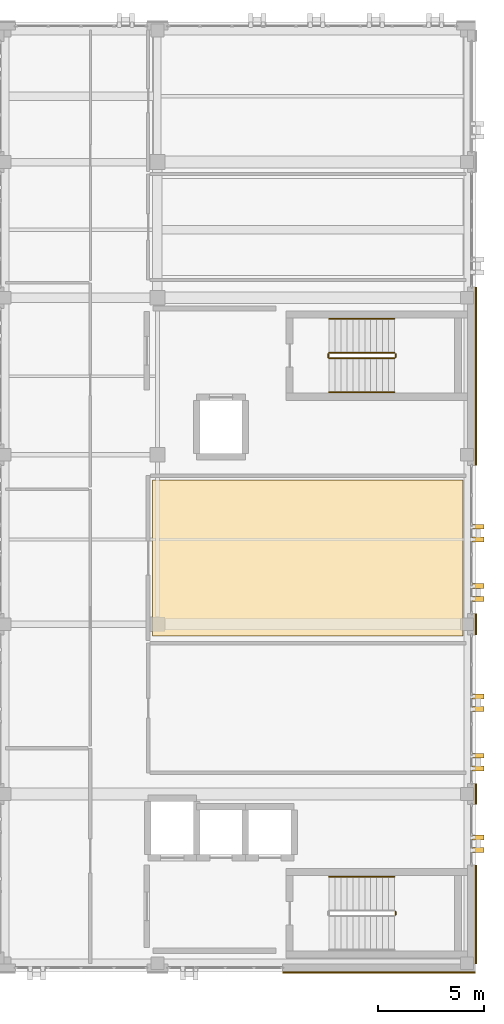
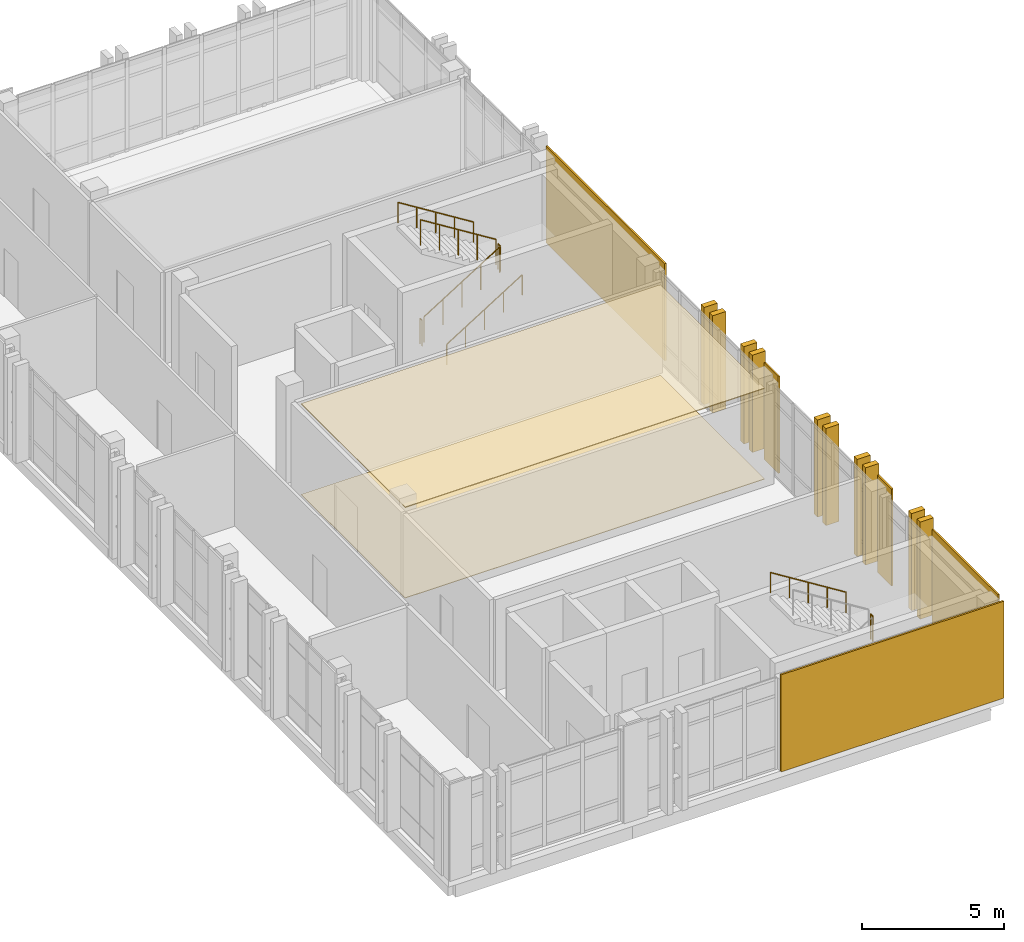
# One storey, part 72 of 77: 17 coverings, 8 railings.
"""IFC4 building model written with IfcOpenShell, lengths in metres."""

from ifc_helpers import new_model, si_unit, direction, frame, origin, origin_2d, place, context, subcontext, project, spatial, polyline, rectangle, circle, outline, extrude, material, layer, layer_set, type_object, element, save


model = new_model("IFC4")

# Units and contexts
model_context = context("Model", 3, precision=1e-05, world=origin(), true_north=direction((0.0, 1.0)))
body_context = subcontext(model_context, "Body", "Model", "MODEL_VIEW")
ifc_project = project(units=[si_unit("LENGTHUNIT", "METRE"), si_unit("AREAUNIT", "SQUARE_METRE"), si_unit("VOLUMEUNIT", "CUBIC_METRE"), si_unit("PLANEANGLEUNIT", "RADIAN"), si_unit("MASSUNIT", "GRAM", prefix="KILO")], contexts=[model_context])

# Site, building, storey
site_placement = place(None, origin())
site = spatial("IfcSite", under=ifc_project, at=site_placement, CompositionType="ELEMENT")
building_placement = place(site_placement, origin())
building = spatial("IfcBuilding", under=site, at=building_placement, Name="Qalavern Law Courts", CompositionType="ELEMENT")
storey_placement = place(building_placement, frame((0.0, 0.0, 27.0)))
storey = spatial("IfcBuildingStorey", under=building, at=storey_placement, Name="L06", CompositionType="ELEMENT", Elevation=27.0)

# Coverings
ifc_material_1 = material(Name="Precast concrete C40/50", Category="concrete")
ifc_layer_1 = layer(ifc_material_1, 0.22998046875)
ifc_layer_set_1 = layer_set([ifc_layer_1], Name="Precast concrete C40/50")
covering_type_1 = type_object("IfcCoveringType", Name="ENV-BLD-2", PredefinedType="CLADDING", material=ifc_layer_set_1)
for number, where, z_axis, x_axis, name in (
    (1, (106.925048828125, 46.75, 0.005126953125), (0.0, 0.0, 1.0), (1.0, 0.0, 0.0), "Absheron stone facade blade 0763"),
    (2, (106.925048828125, 47.35009765625, 0.005126953125), (0.0, 0.0, 1.0), (1.0, 0.0, 0.0), "Absheron stone facade blade 0764"),
    (3, (106.925048828125, 50.60009765625, 0.005126953125), (0.0, 0.0, 1.0), (1.0, 0.0, 0.0), "Absheron stone facade blade 0765"),
    (4, (106.925048828125, 51.199951171875, 0.005126953125), (0.0, 0.0, 1.0), (1.0, 0.0, 0.0), "Absheron stone facade blade 0766"),
    (5, (106.925048828125, 53.39990234375, 0.005126953125), (0.0, 0.0, 1.0), (1.0, 0.0, 0.0), "Absheron stone facade blade 0767"),
    (6, (106.925048828125, 54.0, 0.005126953125), (0.0, 0.0, 1.0), (1.0, 0.0, 0.0), "Absheron stone facade blade 0768"),
    (7, (106.925048828125, 58.60009765625, 0.005126953125), (0.0, 0.0, 1.0), (1.0, 0.0, 0.0), "Absheron stone facade blade 0769"),
    (8, (106.925048828125, 59.199951171875, 0.005126953125), (0.0, 0.0, 1.0), (1.0, 0.0, 0.0), "Absheron stone facade blade 0770"),
    (9, (106.925048828125, 61.39990234375, 0.005126953125), (0.0, 0.0, 1.0), (1.0, 0.0, 0.0), "Absheron stone facade blade 0771"),
    (10, (106.925048828125, 62.0, 0.005126953125), (0.0, 0.0, 1.0), (1.0, 0.0, 0.0), "Absheron stone facade blade 0772"),
):
    element("IfcCovering", number, at=place(storey_placement, frame(where, z_axis=z_axis, x_axis=x_axis)), inside=storey, type_object=covering_type_1, Name=name, PredefinedType="CLADDING", context=body_context, shape_type="SweptSolid", body=[
        extrude(rectangle(XDim=0.5400390625, YDim=0.22998046875, at=origin_2d()), origin(), (0.0, 0.0, 1.0), 4.18994140625),
    ])
ifc_layer_2 = layer(ifc_material_1, 0.072021484375)
ifc_layer_set_2 = layer_set([ifc_layer_2], Name="Precast concrete C40/50")
covering_type_2 = type_object("IfcCoveringType", Name="ENV-CLD-2", PredefinedType="CLADDING", material=ifc_layer_set_2)
covering_1_placement = place(storey_placement, frame((102.25, 40.987060546875, 0.01025390625), z_axis=(0.0, 0.0, 1.0), x_axis=(1.0, 0.0, 0.0)))
element("IfcCovering", 11, at=covering_1_placement, inside=storey, type_object=covering_type_2, Name="V4 Absheron limestone pier facing L06 south 3", PredefinedType="CLADDING", context=body_context, shape_type="SweptSolid", body=[
    extrude(rectangle(XDim=9.080078125, YDim=0.072021484375, at=origin_2d()), origin(), (0.0, 0.0, 1.0), 4.179931640625),
])
covering_2_placement = place(storey_placement, frame((106.8330078125, 43.717529296875, 0.01025390625), z_axis=(0.0, 0.0, 1.0), x_axis=(0.0, 1.0, 0.0)))
element("IfcCovering", 12, at=covering_2_placement, inside=storey, type_object=covering_type_2, Name="V4 Absheron limestone pier facing L06 east 1", PredefinedType="CLADDING", context=body_context, shape_type="SweptSolid", body=[
    extrude(rectangle(XDim=4.64501953125, YDim=0.072021484375, at=origin_2d()), origin(), (0.0, 0.0, 1.0), 4.179931640625),
])
for number, where, z_axis, x_axis, name in (
    (13, (106.8330078125, 49.39990234375, 0.01025390625), (0.0, 0.0, 1.0), (0.0, 1.0, 0.0), "V4 Absheron limestone pier facing L06 east 2"),
    (14, (106.8330078125, 57.39990234375, 0.01025390625), (0.0, 0.0, 1.0), (0.0, 1.0, 0.0), "V4 Absheron limestone pier facing L06 east 3"),
):
    element("IfcCovering", number, at=place(storey_placement, frame(where, z_axis=z_axis, x_axis=x_axis)), inside=storey, type_object=covering_type_2, Name=name, PredefinedType="CLADDING", context=body_context, shape_type="SweptSolid", body=[
        extrude(rectangle(XDim=0.97998046875, YDim=0.072021484375, at=origin_2d()), origin(), (0.0, 0.0, 1.0), 4.179931640625),
    ])
covering_3_placement = place(storey_placement, frame((106.8330078125, 69.10009765625, 0.01025390625), z_axis=(0.0, 0.0, 1.0), x_axis=(0.0, 1.0, 0.0)))
element("IfcCovering", 15, at=covering_3_placement, inside=storey, type_object=covering_type_2, Name="V4 Absheron limestone pier facing L06 east 4", PredefinedType="CLADDING", context=body_context, shape_type="SweptSolid", body=[
    extrude(rectangle(XDim=8.3798828125, YDim=0.072021484375, at=origin_2d()), origin(), (0.0, 0.0, 1.0), 4.179931640625),
])
ifc_material_2 = material(Name="Perforated gypsum and mineral-wool acoustic ceiling")
ifc_layer_3 = layer(ifc_material_2, 0.0380859375)
ifc_layer_set_3 = layer_set([ifc_layer_3], Name="Perforated gypsum and mineral-wool acoustic ceiling")
covering_type_3 = type_object("IfcCoveringType", Name="INT-CEIL-1", PredefinedType="CEILING", material=ifc_layer_set_3)
covering_4_placement = place(storey_placement, frame((0.0, 0.0, 3.89697265625)))
element("IfcCovering", 16, at=covering_4_placement, inside=storey, type_object=covering_type_3, Name="Commercial Courtroom acoustic ceiling L06", PredefinedType="CEILING", context=body_context, shape_type="SweptSolid", body=[
    extrude(outline(polyline([(91.570068359375, 56.844970703125), (106.2099609375, 56.844970703125), (106.2099609375, 64.199951171875), (91.570068359375, 64.199951171875), (91.570068359375, 56.844970703125)])), origin(), (0.0, 0.0, 1.0), 0.0380859375),
])
ifc_material_3 = material(Name="Acoustic engineered oak courtroom flooring")
ifc_layer_4 = layer(ifc_material_3, 0.02197265625)
ifc_layer_set_4 = layer_set([ifc_layer_4], Name="Acoustic engineered oak courtroom flooring")
covering_type_4 = type_object("IfcCoveringType", Name="INT-FLR-1", PredefinedType="FLOORING", material=ifc_layer_set_4)
covering_5_placement = place(storey_placement, origin())
element("IfcCovering", 17, at=covering_5_placement, inside=storey, type_object=covering_type_4, Name="Commercial Courtroom finish flooring L06", PredefinedType="FLOORING", context=body_context, shape_type="SweptSolid", body=[
    extrude(outline(polyline([(91.570068359375, 56.844970703125), (106.2099609375, 56.844970703125), (106.2099609375, 64.199951171875), (91.570068359375, 64.199951171875), (91.570068359375, 56.844970703125)])), origin(), (0.0, 0.0, 1.0), 0.02197265625),
])

# Railings
ifc_material_4 = material(Name="Steel S355", Category="steel")
railing_type_1 = type_object("IfcRailingType", Name="INT-GUARD-1120", PredefinedType="BALUSTRADE", material=ifc_material_4)
railing_1_placement = place(storey_placement, frame((103.030029296875, 43.699951171875, 2.10009765625)))
element("IfcRailing", 18, at=railing_1_placement, inside=storey, type_object=railing_type_1, Name="L06 ST-K1A stair guard 2", PredefinedType="BALUSTRADE", context=body_context, shape_type="SweptSolid", body=[
    extrude(circle(Radius=0.02392578125, at=origin_2d()), frame((0.0, 0.0, 1.09619140625), z_axis=(0.0, 1.0, 0.0), x_axis=(-1.0, 0.0, 0.0)), (0.0, 0.0, 1.0), 0.150146484375),
    extrude(circle(Radius=0.02099609375, at=origin_2d()), origin(), (0.0, 0.0, 1.0), 1.072021484375),
    extrude(circle(Radius=0.02099609375, at=origin_2d()), frame((0.0, 0.150146484375, 0.0)), (0.0, 0.0, 1.0), 1.072021484375),
])
railing_2_placement = place(storey_placement, frame((99.89990234375, 69.949951171875, 0.175048828125)))
element("IfcRailing", 19, at=railing_2_placement, inside=storey, type_object=railing_type_1, Name="L06 ST-K1B stair guard 1", PredefinedType="BALUSTRADE", context=body_context, shape_type="SweptSolid", body=[
    extrude(circle(Radius=0.02392578125, at=origin_2d()), frame((0.0, 0.0, 1.09619140625), z_axis=(0.847998304005, 0.0, 0.529998940003), x_axis=(0.0, 1.0, 0.0)), (0.0, 0.0, 1.0), 3.632080078125),
    extrude(circle(Radius=0.02099609375, at=origin_2d()), origin(), (0.0, 0.0, 1.0), 1.072021484375),
    extrude(circle(Radius=0.02099609375, at=origin_2d()), frame((0.77001953125, 0.0, 0.481201171875)), (0.0, 0.0, 1.0), 1.072021484375),
    extrude(circle(Radius=0.02099609375, at=origin_2d()), frame((1.5400390625, 0.0, 0.96240234375)), (0.0, 0.0, 1.0), 1.072021484375),
    extrude(circle(Radius=0.02099609375, at=origin_2d()), frame((2.31005859375, 0.0, 1.44384765625)), (0.0, 0.0, 1.0), 1.072021484375),
    extrude(circle(Radius=0.02099609375, at=origin_2d()), frame((3.080078125, 0.0, 1.925048828125)), (0.0, 0.0, 1.0), 1.072021484375),
])
railing_3_placement = place(storey_placement, frame((103.030029296875, 70.0, 2.10009765625)))
element("IfcRailing", 20, at=railing_3_placement, inside=storey, type_object=railing_type_1, Name="L06 ST-K1B stair guard 2", PredefinedType="BALUSTRADE", context=body_context, shape_type="SweptSolid", body=[
    extrude(circle(Radius=0.02392578125, at=origin_2d()), frame((0.0, 0.0, 1.09619140625), z_axis=(0.0, 1.0, 0.0), x_axis=(-1.0, 0.0, 0.0)), (0.0, 0.0, 1.0), 0.14990234375),
    extrude(circle(Radius=0.02099609375, at=origin_2d()), origin(), (0.0, 0.0, 1.0), 1.072021484375),
    extrude(circle(Radius=0.02099609375, at=origin_2d()), frame((0.0, 0.14990234375, 0.0)), (0.0, 0.0, 1.0), 1.072021484375),
])
railing_4_placement = place(storey_placement, frame((102.97998046875, 70.199951171875, 2.27490234375)))
element("IfcRailing", 21, at=railing_4_placement, inside=storey, type_object=railing_type_1, Name="L06 ST-K1B stair guard 3", PredefinedType="BALUSTRADE", context=body_context, shape_type="SweptSolid", body=[
    extrude(circle(Radius=0.02392578125, at=origin_2d()), frame((0.0, 0.0, 1.09619140625), z_axis=(-0.847998304005, 0.0, 0.529998940003), x_axis=(0.0, -1.0, 0.0)), (0.0, 0.0, 1.0), 3.632080078125),
    extrude(circle(Radius=0.02099609375, at=origin_2d()), origin(), (0.0, 0.0, 1.0), 1.072021484375),
    extrude(circle(Radius=0.02099609375, at=origin_2d()), frame((-0.77001953125, 0.0, 0.481201171875)), (0.0, 0.0, 1.0), 1.072021484375),
    extrude(circle(Radius=0.02099609375, at=origin_2d()), frame((-1.5400390625, 0.0, 0.96240234375)), (0.0, 0.0, 1.0), 1.072021484375),
    extrude(circle(Radius=0.02099609375, at=origin_2d()), frame((-2.31005859375, 0.0, 1.44384765625)), (0.0, 0.0, 1.0), 1.072021484375),
    extrude(circle(Radius=0.02099609375, at=origin_2d()), frame((-3.080078125, 0.0, 1.925048828125)), (0.0, 0.0, 1.0), 1.072021484375),
])
railing_5_placement = place(storey_placement, frame((99.85009765625, 70.0, 0.0)))
element("IfcRailing", 22, at=railing_5_placement, inside=storey, type_object=railing_type_1, Name="L06 ST-K1B stair guard 4", PredefinedType="BALUSTRADE", context=body_context, shape_type="SweptSolid", body=[
    extrude(circle(Radius=0.02392578125, at=origin_2d()), frame((0.0, 0.0, 1.09619140625), z_axis=(0.0, 1.0, 0.0), x_axis=(-1.0, 0.0, 0.0)), (0.0, 0.0, 1.0), 0.14990234375),
    extrude(circle(Radius=0.02099609375, at=origin_2d()), origin(), (0.0, 0.0, 1.0), 1.072021484375),
    extrude(circle(Radius=0.02099609375, at=origin_2d()), frame((0.0, 0.14990234375, 0.0)), (0.0, 0.0, 1.0), 1.072021484375),
])
railing_type_2 = type_object("IfcRailingType", Name="INT-HRAIL-920", PredefinedType="HANDRAIL", material=ifc_material_4)
railing_6_placement = place(storey_placement, frame((102.97998046875, 45.5, 2.27490234375)))
element("IfcRailing", 23, at=railing_6_placement, inside=storey, type_object=railing_type_2, Name="L06 ST-K1A stair handrail 2", PredefinedType="HANDRAIL", context=body_context, shape_type="SweptSolid", body=[
    extrude(circle(Radius=0.02392578125, at=origin_2d()), frame((0.0, 0.0, 0.8759765625), z_axis=(-0.847998304005, 0.0, 0.529998940003), x_axis=(0.0, -1.0, 0.0)), (0.0, 0.0, 1.0), 3.632080078125),
    extrude(circle(Radius=0.02099609375, at=origin_2d()), origin(), (0.0, 0.0, 1.0), 0.851806640625),
    extrude(circle(Radius=0.02099609375, at=origin_2d()), frame((-0.77001953125, 0.0, 0.481201171875)), (0.0, 0.0, 1.0), 0.851806640625),
    extrude(circle(Radius=0.02099609375, at=origin_2d()), frame((-1.5400390625, 0.0, 0.96240234375)), (0.0, 0.0, 1.0), 0.851806640625),
    extrude(circle(Radius=0.02099609375, at=origin_2d()), frame((-2.31005859375, 0.0, 1.44384765625)), (0.0, 0.0, 1.0), 0.851806640625),
    extrude(circle(Radius=0.02099609375, at=origin_2d()), frame((-3.080078125, 0.0, 1.925048828125)), (0.0, 0.0, 1.0), 0.851806640625),
])
railing_7_placement = place(storey_placement, frame((99.89990234375, 68.35009765625, 0.175048828125)))
element("IfcRailing", 24, at=railing_7_placement, inside=storey, type_object=railing_type_2, Name="L06 ST-K1B stair handrail 1", PredefinedType="HANDRAIL", context=body_context, shape_type="SweptSolid", body=[
    extrude(circle(Radius=0.02392578125, at=origin_2d()), frame((0.0, 0.0, 0.8759765625), z_axis=(0.847998304005, 0.0, 0.529998940003), x_axis=(0.0, 1.0, 0.0)), (0.0, 0.0, 1.0), 3.632080078125),
    extrude(circle(Radius=0.02099609375, at=origin_2d()), origin(), (0.0, 0.0, 1.0), 0.851806640625),
    extrude(circle(Radius=0.02099609375, at=origin_2d()), frame((0.77001953125, 0.0, 0.481201171875)), (0.0, 0.0, 1.0), 0.851806640625),
    extrude(circle(Radius=0.02099609375, at=origin_2d()), frame((1.5400390625, 0.0, 0.96240234375)), (0.0, 0.0, 1.0), 0.851806640625),
    extrude(circle(Radius=0.02099609375, at=origin_2d()), frame((2.31005859375, 0.0, 1.44384765625)), (0.0, 0.0, 1.0), 0.851806640625),
    extrude(circle(Radius=0.02099609375, at=origin_2d()), frame((3.080078125, 0.0, 1.925048828125)), (0.0, 0.0, 1.0), 0.851806640625),
])
railing_8_placement = place(storey_placement, frame((102.97998046875, 71.800048828125, 2.27490234375)))
element("IfcRailing", 25, at=railing_8_placement, inside=storey, type_object=railing_type_2, Name="L06 ST-K1B stair handrail 2", PredefinedType="HANDRAIL", context=body_context, shape_type="SweptSolid", body=[
    extrude(circle(Radius=0.02392578125, at=origin_2d()), frame((0.0, 0.0, 0.8759765625), z_axis=(-0.847998304005, 0.0, 0.529998940003), x_axis=(0.0, -1.0, 0.0)), (0.0, 0.0, 1.0), 3.632080078125),
    extrude(circle(Radius=0.02099609375, at=origin_2d()), origin(), (0.0, 0.0, 1.0), 0.851806640625),
    extrude(circle(Radius=0.02099609375, at=origin_2d()), frame((-0.77001953125, 0.0, 0.481201171875)), (0.0, 0.0, 1.0), 0.851806640625),
    extrude(circle(Radius=0.02099609375, at=origin_2d()), frame((-1.5400390625, 0.0, 0.96240234375)), (0.0, 0.0, 1.0), 0.851806640625),
    extrude(circle(Radius=0.02099609375, at=origin_2d()), frame((-2.31005859375, 0.0, 1.44384765625)), (0.0, 0.0, 1.0), 0.851806640625),
    extrude(circle(Radius=0.02099609375, at=origin_2d()), frame((-3.080078125, 0.0, 1.925048828125)), (0.0, 0.0, 1.0), 0.851806640625),
])

save(model, "model.ifc")
